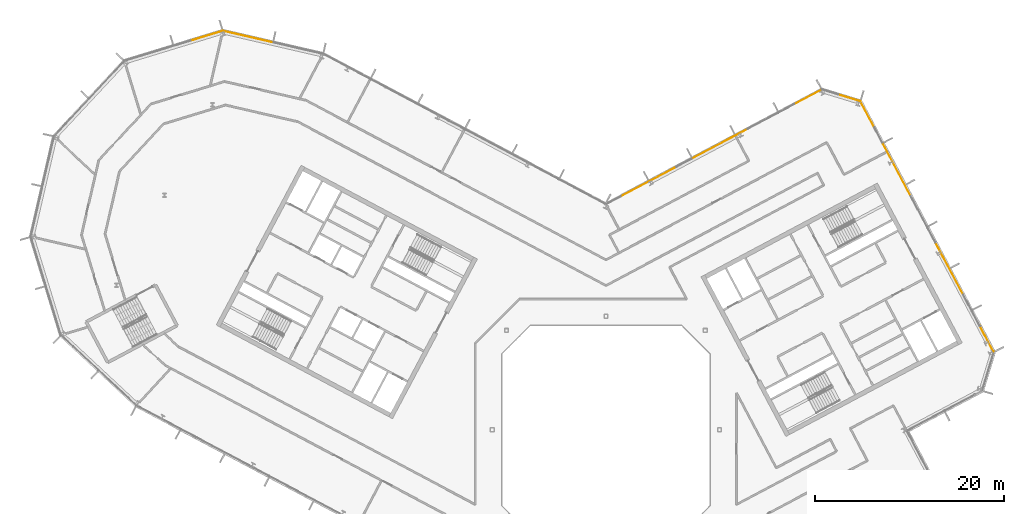
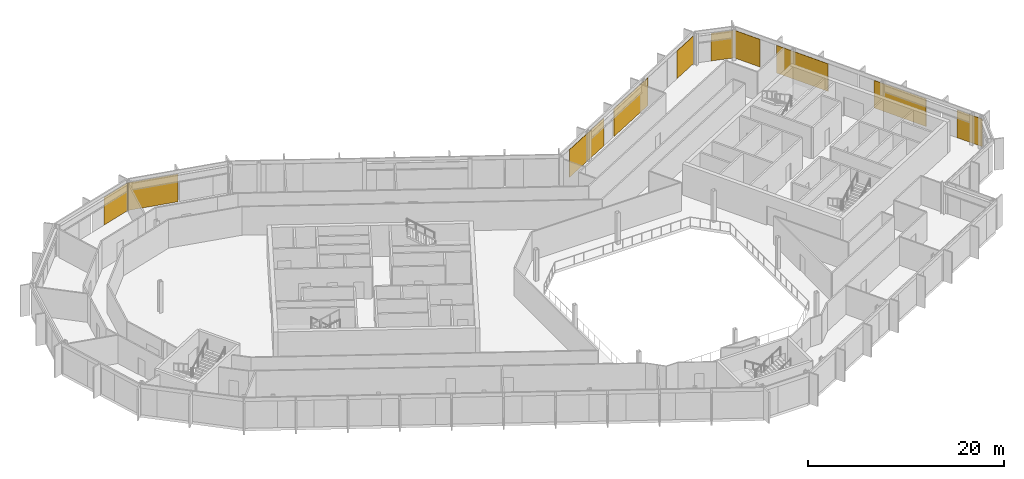
# One storey, part 26 of 26: 10 coverings, 5 elements without a shape of their own.
"""IFC4 building model written with IfcOpenShell, lengths in metres."""

from ifc_helpers import new_model, si_unit, direction, frame, origin, origin_2d, place, context, subcontext, project, spatial, rectangle, extrude, material, layer, layer_set, type_object, element, aggregate, save


model = new_model("IFC4")

# Units and contexts
model_context = context("Model", 3, precision=1e-05, world=origin(), true_north=direction((0.0, 1.0)))
body_context = subcontext(model_context, "Body", "Model", "MODEL_VIEW")
ifc_project = project(units=[si_unit("LENGTHUNIT", "METRE"), si_unit("AREAUNIT", "SQUARE_METRE"), si_unit("VOLUMEUNIT", "CUBIC_METRE"), si_unit("PLANEANGLEUNIT", "RADIAN"), si_unit("MASSUNIT", "GRAM", prefix="KILO")], contexts=[model_context])

# Site, building, storey
site_placement = place(None, origin())
site = spatial("IfcSite", under=ifc_project, at=site_placement, CompositionType="ELEMENT")
building_placement = place(site_placement, origin())
building = spatial("IfcBuilding", under=site, at=building_placement, Name="Cormorant Relay Tower", CompositionType="ELEMENT")
storey_placement = place(building_placement, frame((0.0, 0.0, 312.60009765625)))
storey = spatial("IfcBuildingStorey", under=building, at=storey_placement, Name="L71", CompositionType="ELEMENT", Elevation=312.60009765625)

# Curtain wall, coverings
ifc_material_1 = material(Name="Aluminium 6063-T6 anodised bronze", Category="aluminium")
ifc_layer_1 = layer(ifc_material_1, 0.199951171875)
ifc_layer_set_1 = layer_set([ifc_layer_1], Name="CW1 unitised bronze curtain wall with vertical fins")
curtain_wall_type = type_object("IfcCurtainWallType", Name="CW1 unitised bronze curtain wall with vertical fins", PredefinedType="NOTDEFINED", material=ifc_layer_set_1)
curtain_wall_1_placement = place(storey_placement, origin())
curtain_wall_1 = element("IfcCurtainWall", 1, at=curtain_wall_1_placement, inside=storey, type_object=curtain_wall_type, Name="CW1 curtain wall 6", PredefinedType="NOTDEFINED")
ifc_material_2 = material(Name="Pale bronze anodised aluminium insulated panel", Category="aluminium")
ifc_layer_2 = layer(ifc_material_2, 0.0400390625)
ifc_layer_set_2 = layer_set([ifc_layer_2], Name="CW1 pale bronze insulated panel 40")
covering_type = type_object("IfcCoveringType", Name="CW1 pale bronze insulated panel 40", PredefinedType="CLADDING", material=ifc_layer_set_2)
covering_1_placement = place(storey_placement, frame((40.218017578125, 9.605712890625, 0.0), z_axis=(0.0, 0.0, 1.0), x_axis=(-0.469471562786, 0.882947592859, 0.0)))
covering_1 = element("IfcCovering", 2, at=covering_1_placement, type_object=covering_type, Name="CW1 panel S00", PredefinedType="CLADDING", context=body_context, shape_type="SweptSolid", body=[
    extrude(rectangle(XDim=3.050048828125, YDim=0.0400390625, at=origin_2d()), origin(), (0.0, 0.0, 1.0), 3.449951171875),
])
covering_2_placement = place(storey_placement, frame((36.2744140625, 17.0224609375, 0.0), z_axis=(0.0, 0.0, 1.0), x_axis=(-0.469471562786, 0.882947592859, 0.0)))
covering_2 = element("IfcCovering", 3, at=covering_2_placement, type_object=covering_type, Name="CW1 panel S03", PredefinedType="CLADDING", context=body_context, shape_type="SweptSolid", body=[
    extrude(rectangle(XDim=6.25, YDim=0.0400390625, at=origin_2d()), origin(), (0.0, 0.0, 1.0), 3.449951171875),
])
covering_3_placement = place(storey_placement, frame((30.734619140625, 27.441162109375, 0.0), z_axis=(0.0, 0.0, 1.0), x_axis=(-0.469471562786, 0.882947592859, 0.0)))
covering_3 = element("IfcCovering", 4, at=covering_3_placement, type_object=covering_type, Name="CW1 panel S06", PredefinedType="CLADDING", context=body_context, shape_type="SweptSolid", body=[
    extrude(rectangle(XDim=6.25, YDim=0.0400390625, at=origin_2d()), origin(), (0.0, 0.0, 1.0), 3.449951171875),
])
covering_4_placement = place(storey_placement, frame((27.61865234375, 33.3017578125, 0.0), z_axis=(0.0, 0.0, 1.0), x_axis=(-0.469471562786, 0.882947592859, 0.0)))
covering_4 = element("IfcCovering", 5, at=covering_4_placement, type_object=covering_type, Name="CW1 panel S08", PredefinedType="CLADDING", context=body_context, shape_type="SweptSolid", body=[
    extrude(rectangle(XDim=3.125, YDim=0.0400390625, at=origin_2d()), origin(), (0.0, 0.0, 1.0), 3.449951171875),
])
aggregate(curtain_wall_1, [covering_1, covering_2, covering_3, covering_4])

# Curtain wall, covering
curtain_wall_2_placement = place(storey_placement, origin())
curtain_wall_2 = element("IfcCurtainWall", 6, at=curtain_wall_2_placement, inside=storey, type_object=curtain_wall_type, Name="CW1 curtain wall 7", PredefinedType="NOTDEFINED")
covering_5_placement = place(storey_placement, frame((25.66943359375, 35.05908203125, 0.0), z_axis=(0.0, 0.0, 1.0), x_axis=(-0.956304755963, 0.292371704723, 0.0)))
covering_5 = element("IfcCovering", 7, at=covering_5_placement, type_object=covering_type, Name="CW1 panel S00", PredefinedType="CLADDING", context=body_context, shape_type="SweptSolid", body=[
    extrude(rectangle(XDim=2.36767578125, YDim=0.0400390625, at=origin_2d()), origin(), (0.0, 0.0, 1.0), 3.449951171875),
])
aggregate(curtain_wall_2, [covering_5])

# Curtain wall, coverings
curtain_wall_3_placement = place(storey_placement, origin())
curtain_wall_3 = element("IfcCurtainWall", 8, at=curtain_wall_3_placement, inside=storey, type_object=curtain_wall_type, Name="CW1 curtain wall 8", PredefinedType="NOTDEFINED")
covering_6_placement = place(storey_placement, frame((21.314453125, 35.1396484375, 0.0), z_axis=(0.0, 0.0, 1.0), x_axis=(-0.882947592859, -0.469471562786, 0.0)))
covering_6 = element("IfcCovering", 9, at=covering_6_placement, type_object=covering_type, Name="CW1 panel S00", PredefinedType="CLADDING", context=body_context, shape_type="SweptSolid", body=[
    extrude(rectangle(XDim=3.216796875, YDim=0.0400390625, at=origin_2d()), origin(), (0.0, 0.0, 1.0), 3.449951171875),
])
covering_7_placement = place(storey_placement, frame((12.08740234375, 30.233642578125, 0.0), z_axis=(0.0, 0.0, 1.0), x_axis=(-0.882947592859, -0.469471562786, 0.0)))
covering_7 = element("IfcCovering", 10, at=covering_7_placement, type_object=covering_type, Name="CW1 panel S03", PredefinedType="CLADDING", context=body_context, shape_type="SweptSolid", body=[
    extrude(rectangle(XDim=6.58349609375, YDim=0.0400390625, at=origin_2d()), origin(), (0.0, 0.0, 1.0), 3.449951171875),
])
covering_8_placement = place(storey_placement, frame((4.51953125, 26.209716796875, 0.0), z_axis=(0.0, 0.0, 1.0), x_axis=(-0.882947592859, -0.469471562786, 0.0)))
covering_8 = element("IfcCovering", 11, at=covering_8_placement, type_object=covering_type, Name="CW1 panel S05", PredefinedType="CLADDING", context=body_context, shape_type="SweptSolid", body=[
    extrude(rectangle(XDim=6.65869140625, YDim=0.0400390625, at=origin_2d()), origin(), (0.0, 0.0, 1.0), 3.449951171875),
])
aggregate(curtain_wall_3, [covering_6, covering_7, covering_8])

# Curtain wall, covering
curtain_wall_4_placement = place(storey_placement, origin())
curtain_wall_4 = element("IfcCurtainWall", 12, at=curtain_wall_4_placement, inside=storey, type_object=curtain_wall_type, Name="CW1 curtain wall 10", PredefinedType="NOTDEFINED")
covering_9_placement = place(storey_placement, frame((-37.849609375, 41.530029296875, 0.0), z_axis=(0.0, 0.0, 1.0), x_axis=(-0.974370064785, 0.224951054344, 0.0)))
covering_9 = element("IfcCovering", 13, at=covering_9_placement, type_object=covering_type, Name="CW1 panel S02", PredefinedType="CLADDING", context=body_context, shape_type="SweptSolid", body=[
    extrude(rectangle(XDim=5.360107421875, YDim=0.0400390625, at=origin_2d()), origin(), (0.0, 0.0, 1.0), 3.449951171875),
])
aggregate(curtain_wall_4, [covering_9])

curtain_wall_5_placement = place(storey_placement, origin())
curtain_wall_5 = element("IfcCurtainWall", 14, at=curtain_wall_5_placement, inside=storey, type_object=curtain_wall_type, Name="CW1 curtain wall 11", PredefinedType="NOTDEFINED")
covering_10_placement = place(storey_placement, frame((-42.209716796875, 41.60107421875, 0.0), z_axis=(0.0, 0.0, 1.0), x_axis=(-0.956304755963, -0.292371704723, 0.0)))
covering_10 = element("IfcCovering", 15, at=covering_10_placement, type_object=covering_type, Name="CW1 panel S00", PredefinedType="CLADDING", context=body_context, shape_type="SweptSolid", body=[
    extrude(rectangle(XDim=3.485107421875, YDim=0.0400390625, at=origin_2d()), origin(), (0.0, 0.0, 1.0), 3.449951171875),
])
aggregate(curtain_wall_5, [covering_10])

save(model, "model.ifc")
